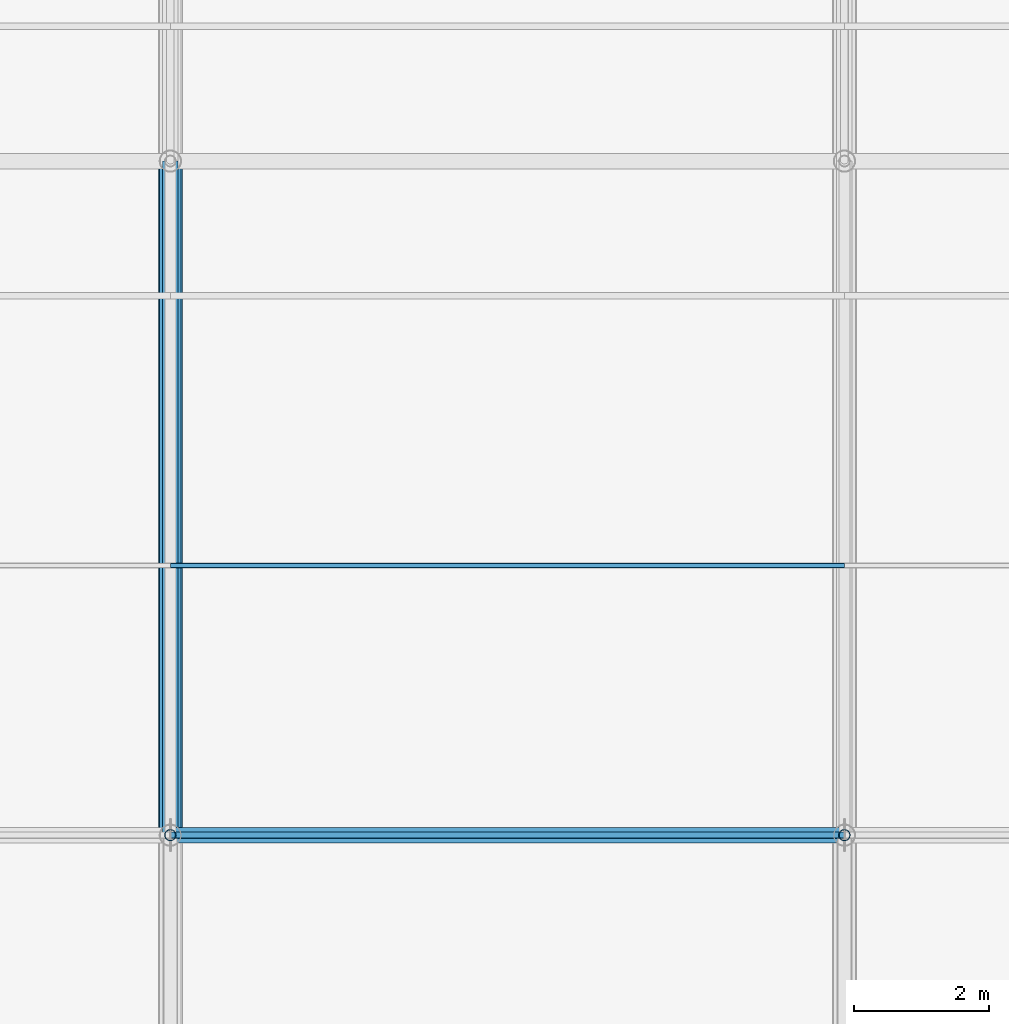
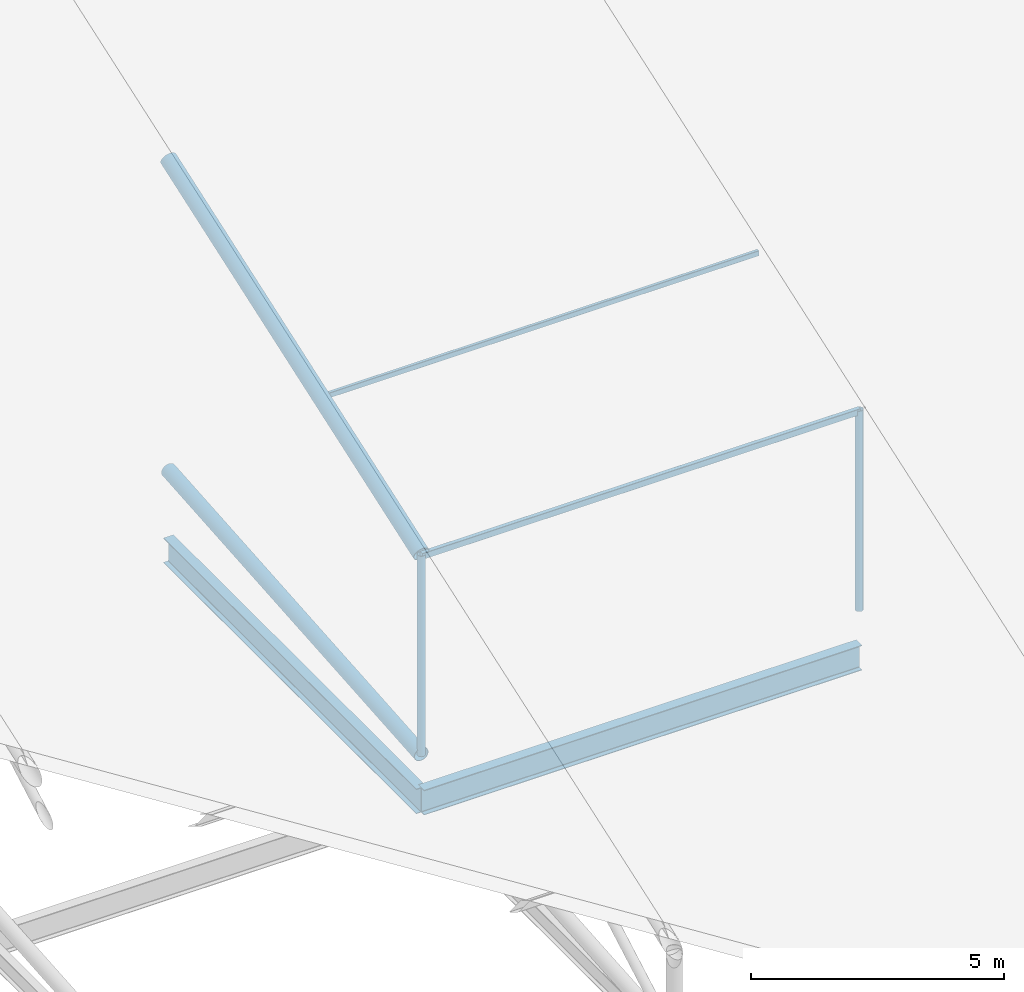
# One storey, part 19 of 93: 6 members, 2 beams.
"""IFC4 building model written with IfcOpenShell, lengths in metres."""

from ifc_helpers import new_model, si_unit, derived_unit, direction, frame, origin, origin_2d_with_axis, place, context, subcontext, project, spatial, hollow_rectangle, hollow_circle, i_section, extrude, material, material_profile, profile_set, type_object, element, save


model = new_model("IFC4")

# Units and contexts
model_context = context("Model", 3, precision=1e-05, world=origin(), true_north=direction((0.0, 1.0)))
body_context = subcontext(model_context, "Body", "Model", "MODEL_VIEW")
ifc_project = project(units=[si_unit("LENGTHUNIT", "METRE"), si_unit("AREAUNIT", "SQUARE_METRE"), si_unit("VOLUMEUNIT", "CUBIC_METRE"), si_unit("PLANEANGLEUNIT", "RADIAN"), si_unit("MASSUNIT", "GRAM", prefix="KILO"), derived_unit("THERMALTRANSMITTANCEUNIT", [(si_unit("POWERUNIT", "WATT"), 1), (si_unit("LENGTHUNIT", "METRE"), -2), (si_unit("THERMODYNAMICTEMPERATUREUNIT", "KELVIN"), -1)])], contexts=[model_context])

# Site, building, storey
site_placement = place(None, origin())
site = spatial("IfcSite", under=ifc_project, at=site_placement, CompositionType="ELEMENT")
building_placement = place(site_placement, origin())
building = spatial("IfcBuilding", under=site, at=building_placement, Name="Cinnabar Yard Market Hall", CompositionType="ELEMENT")
storey_placement = place(building_placement, frame((0.0, 0.0, 23.800048828125)))
storey = spatial("IfcBuildingStorey", under=building, at=storey_placement, Name="ROOF", CompositionType="ELEMENT", Elevation=23.800048828125)

# Beams
ifc_material_1 = material(Name="Steel Grade 300 (300 MPa)", Category="steel")
ifc_material_profile_1 = material_profile(ifc_material_1, i_section(OverallWidth=0.22802734375, OverallDepth=0.60205078125, WebThickness=0.010498046875, FlangeThickness=0.014892578125, FilletRadius=0.013916015625, at=origin_2d_with_axis()), Name="610UB101")
ifc_profile_set_1 = profile_set([ifc_material_profile_1], Name="Steel Grade 300 (300 MPa)")
beam_type = type_object("IfcBeamType", Name="BM-B02", PredefinedType="BEAM", material=ifc_profile_set_1)
for number, where, z_axis, x_axis, name in (
    (1, (106.0, 24.0, -9.700927734375), (1.0, 0.0, 0.0), (0.0, 1.0, 0.0), "Hall Longitudinal Tie Girder 00375"),
    (2, (106.0, 24.0, -9.700927734375), (0.0, 1.0, 0.0), (-1.0, 0.0, 0.0), "Hall Transverse Tie Girder 00424"),
):
    element("IfcBeam", number, at=place(storey_placement, frame(where, z_axis=z_axis, x_axis=x_axis)), inside=storey, type_object=beam_type, Name=name, PredefinedType="BEAM", context=body_context, shape_type="SweptSolid", body=[
        extrude(i_section(OverallWidth=0.22802734375, OverallDepth=0.60205078125, WebThickness=0.010498046875, FlangeThickness=0.014892578125, FilletRadius=0.013916015625, at=origin_2d_with_axis()), origin(), (0.0, 0.0, 1.0), 10.0),
    ])

# Members
ifc_material_2 = material(Name="Cold-formed steel C350L0", Category="steel")
ifc_material_profile_2 = material_profile(ifc_material_2, hollow_circle(Radius=0.161865234375, WallThickness=0.009521484375, at=origin_2d_with_axis()), Name="323.9x9.5CHS")
ifc_profile_set_2 = profile_set([ifc_material_profile_2], Name="Cold-formed steel C350L0")
member_type_1 = type_object("IfcMemberType", Name="MB-BC01", PredefinedType="CHORD", material=ifc_profile_set_2)
member_1_placement = place(storey_placement, frame((106.0, 24.0, -8.60009765625), z_axis=(0.0, 0.99681489162, 0.07975005859), x_axis=(-1.0, 0.0, 0.0)))
element("IfcMember", 3, at=member_1_placement, inside=storey, type_object=member_type_1, Name="Hall Truss 106 Bottom Chord 2", PredefinedType="CHORD", context=body_context, shape_type="SweptSolid", body=[
    extrude(hollow_circle(Radius=0.161865234375, WallThickness=0.009521484375, at=origin_2d_with_axis()), origin(), (0.0, 0.0, 1.0), 10.031982421875),
])
ifc_material_profile_3 = material_profile(ifc_material_2, hollow_rectangle(XDim=0.10009765625, YDim=0.14990234375, WallThickness=0.0048828125, InnerFilletRadius=0.0048828125, OuterFilletRadius=0.010009765625, at=origin_2d_with_axis()), Name="150x100x5.0RHS")
ifc_profile_set_3 = profile_set([ifc_material_profile_3], Name="Cold-formed steel C350L0")
member_type_2 = type_object("IfcMemberType", Name="MB-PU03", PredefinedType="PURLIN", material=ifc_profile_set_3)
member_2_placement = place(storey_placement, frame((106.0, 24.0, -3.80126953125), z_axis=(1.0, 0.0, 0.0), x_axis=(0.0, 1.0, 0.0)))
element("IfcMember", 4, at=member_2_placement, inside=storey, type_object=member_type_2, Name="Hall Roof Purlin Y24 X106", PredefinedType="PURLIN", context=body_context, shape_type="SweptSolid", body=[
    extrude(hollow_rectangle(XDim=0.10009765625, YDim=0.14990234375, WallThickness=0.0048828125, InnerFilletRadius=0.0048828125, OuterFilletRadius=0.010009765625, at=origin_2d_with_axis()), origin(), (0.0, 0.0, 1.0), 10.0),
])
ifc_material_profile_4 = material_profile(ifc_material_2, hollow_rectangle(XDim=0.074951171875, YDim=0.125, WallThickness=0.0048828125, InnerFilletRadius=0.0048828125, OuterFilletRadius=0.010009765625, at=origin_2d_with_axis()), Name="125x75x5.0RHS")
ifc_profile_set_4 = profile_set([ifc_material_profile_4], Name="Cold-formed steel C350L0")
member_type_3 = type_object("IfcMemberType", Name="MB-PU04", PredefinedType="PURLIN", material=ifc_profile_set_4)
member_3_placement = place(storey_placement, frame((106.0, 28.0, -2.4091796875), z_axis=(1.0, 0.0, 0.0), x_axis=(0.0, 1.0, 0.0)))
element("IfcMember", 5, at=member_3_placement, inside=storey, type_object=member_type_3, Name="Hall Roof Purlin Y28 X106", PredefinedType="PURLIN", context=body_context, shape_type="SweptSolid", body=[
    extrude(hollow_rectangle(XDim=0.074951171875, YDim=0.125, WallThickness=0.0048828125, InnerFilletRadius=0.0048828125, OuterFilletRadius=0.010009765625, at=origin_2d_with_axis()), origin(), (0.0, 0.0, 1.0), 10.0),
])
ifc_material_profile_5 = material_profile(ifc_material_2, hollow_circle(Radius=0.177734375, WallThickness=0.0126953125, at=origin_2d_with_axis()), Name="355.6x12.7CHS")
ifc_profile_set_5 = profile_set([ifc_material_profile_5], Name="Cold-formed steel C350L0")
member_type_4 = type_object("IfcMemberType", Name="MB-TC01", PredefinedType="CHORD", material=ifc_profile_set_5)
member_4_placement = place(storey_placement, frame((106.0, 24.0, -3.76123046875), z_axis=(0.0, 0.944432077625, 0.328706633267), x_axis=(-1.0, 0.0, 0.0)))
element("IfcMember", 6, at=member_4_placement, inside=storey, type_object=member_type_4, Name="Hall Truss 106 Top Chord 2", PredefinedType="CHORD", context=body_context, shape_type="SweptSolid", body=[
    extrude(hollow_circle(Radius=0.177734375, WallThickness=0.0126953125, at=origin_2d_with_axis()), origin(), (0.0, 0.0, 1.0), 10.58837890625),
])
ifc_material_profile_6 = material_profile(ifc_material_2, hollow_circle(Radius=0.084228515625, WallThickness=0.00634765625, at=origin_2d_with_axis()), Name="168.3x6.4CHS")
ifc_profile_set_6 = profile_set([ifc_material_profile_6], Name="Cold-formed steel C350L0")
member_type_5 = type_object("IfcMemberType", Name="MB-WB01", PredefinedType="STRUT", material=ifc_profile_set_6)
for number, where, z_axis, x_axis, name in (
    (7, (106.0, 24.0, -8.60009765625), (0.0, 0.0, 1.0), (1.0, 0.0, 0.0), "Hall Truss 106 Post 1"),
    (8, (116.0, 24.0, -8.60009765625), (0.0, 0.0, 1.0), (1.0, 0.0, 0.0), "Hall Truss 116 Post 1"),
):
    element("IfcMember", number, at=place(storey_placement, frame(where, z_axis=z_axis, x_axis=x_axis)), inside=storey, type_object=member_type_5, Name=name, PredefinedType="STRUT", context=body_context, shape_type="SweptSolid", body=[
        extrude(hollow_circle(Radius=0.084228515625, WallThickness=0.00634765625, at=origin_2d_with_axis()), origin(), (0.0, 0.0, 1.0), 4.8388671875),
    ])

save(model, "model.ifc")
